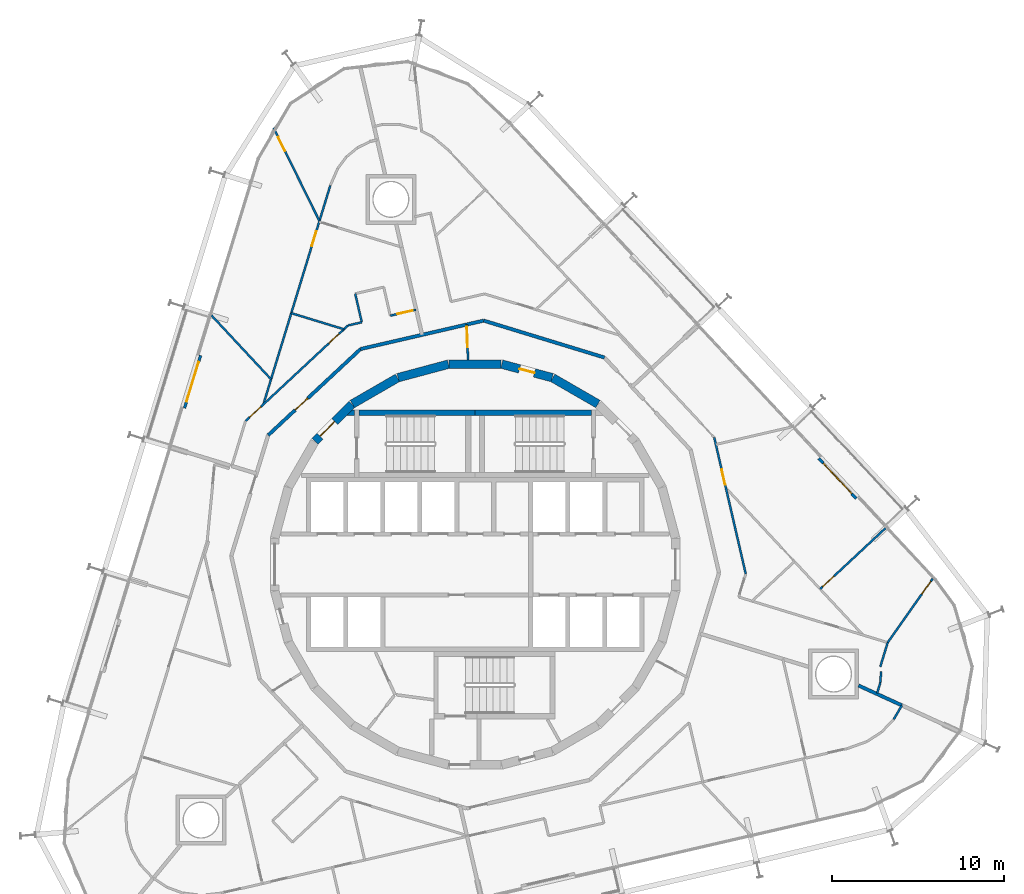
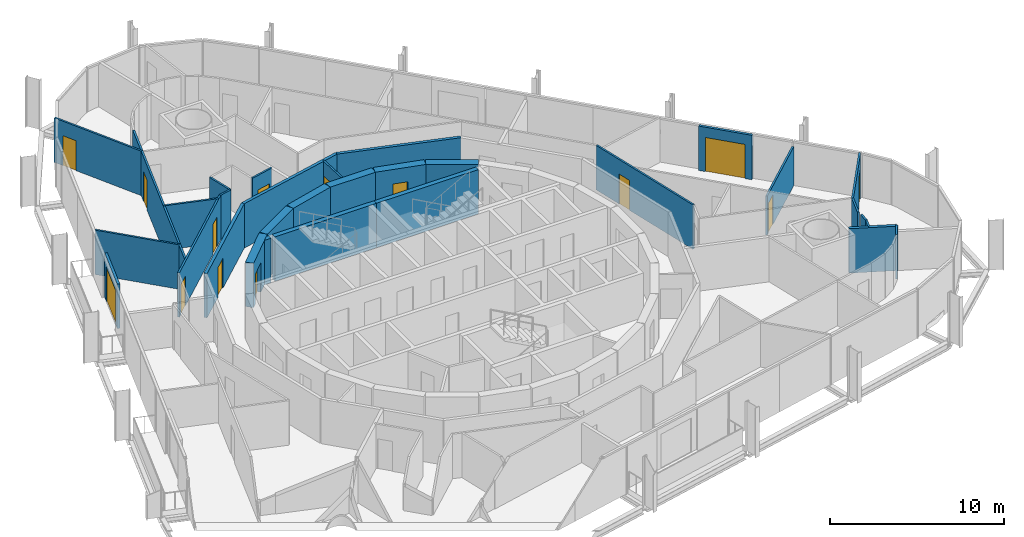
# One storey, part 15 of 18: 31 walls, 14 doors, 14 openings.
"""IFC4 building model written with IfcOpenShell, lengths in metres."""

from ifc_helpers import new_model, si_unit, direction, frame, frame_2d, origin, place, context, subcontext, project, spatial, polyline, rectangle, outline, extrude, material, layer, layer_set, type_object, element, fill, save


model = new_model("IFC4")

# Units and contexts
model_context = context("Model", 3, precision=1e-05, world=origin(), true_north=direction((0.0, 1.0)))
body_context = subcontext(model_context, "Body", "Model", "MODEL_VIEW")
ifc_project = project(units=[si_unit("LENGTHUNIT", "METRE"), si_unit("AREAUNIT", "SQUARE_METRE"), si_unit("VOLUMEUNIT", "CUBIC_METRE"), si_unit("PLANEANGLEUNIT", "RADIAN"), si_unit("MASSUNIT", "GRAM", prefix="KILO")], contexts=[model_context])

# Site, building, storey
site_placement = place(None, origin())
site = spatial("IfcSite", under=ifc_project, at=site_placement, CompositionType="ELEMENT")
building_placement = place(site_placement, origin())
building = spatial("IfcBuilding", under=site, at=building_placement, Name="Spindle Arch Residences", CompositionType="ELEMENT")
storey_placement = place(building_placement, frame((0.0, 0.0, 137.89990234375)))
storey = spatial("IfcBuildingStorey", under=building, at=storey_placement, Name="L34", CompositionType="ELEMENT", Elevation=137.89990234375)

# Wall
ifc_material_1 = material(Name="Concrete C50/60", Category="concrete")
ifc_layer_1 = layer(ifc_material_1, 0.5)
ifc_layer_set_1 = layer_set([ifc_layer_1], Name="Core outline wall 500")
wall_type_1 = type_object("IfcWallType", Name="Core outline wall 500", PredefinedType="SHEAR", material=ifc_layer_set_1)
wall_1_placement = place(storey_placement, frame((7.13671875, 9.32861328125, 0.0), z_axis=(0.0, 0.0, 1.0), x_axis=(-0.865975092491, 0.500087131594, 0.0)))
element("IfcWall", 1, at=wall_1_placement, inside=storey, type_object=wall_type_1, Name="Core outline wall 10", PredefinedType="SHEAR", context=body_context, shape_type="SweptSolid", body=[
    extrude(rectangle(XDim=3.03271484375, YDim=0.5, at=frame_2d((1.516357421875, 0.0))), origin(), (0.0, 0.0, 1.0), 3.1201171875),
])

# Wall, opening, door
wall_2_placement = place(storey_placement, frame((4.479248046875, 10.858154296875, 0.0), z_axis=(0.0, 0.0, 1.0), x_axis=(-0.965948410781, 0.258734743916, 0.0)))
wall_2 = element("IfcWall", 2, at=wall_2_placement, inside=storey, type_object=wall_type_1, Name="Core outline wall 11", PredefinedType="SHEAR", context=body_context, shape_type="SweptSolid", body=[
    extrude(rectangle(XDim=3.03271484375, YDim=0.5, at=frame_2d((1.516357421875, 0.0))), origin(), (0.0, 0.0, 1.0), 3.1201171875),
])
opening_1_placement = place(wall_2_placement, frame((1.066162109375, 0.0, 0.0)))
opening_1 = element("IfcOpeningElement", 3, at=opening_1_placement, cuts=wall_2, Name="Opening R3C1-WD10", PredefinedType="OPENING", context=body_context, shape_type="SweptSolid", body=[
    extrude(rectangle(XDim=0.89990234375, YDim=2.10009765625, at=frame_2d((0.449951171875, 1.050048828125))), frame((0.0, 0.260009765625, 0.0), z_axis=(0.0, -1.0, 0.0), x_axis=(1.0, 0.0, 0.0)), (0.0, 0.0, 1.0), 0.52001953125),
])
ifc_material_2 = material(Name="Steel, fire-resisting door", Category="steel")
door_type_1 = type_object("IfcDoorType", Name="Service room door 900x2100", OperationType="SINGLE_SWING_LEFT", PredefinedType="DOOR", material=ifc_material_2)
door_1_placement = place(opening_1_placement, origin())
door_1 = element("IfcDoor", 4, at=door_1_placement, inside=storey, type_object=door_type_1, Name="Service room door R3C1-WD10", OperationType="SINGLE_SWING_LEFT", OverallHeight=2.10009765625, OverallWidth=0.89990234375, PredefinedType="DOOR", context=body_context, shape_type="SweptSolid", body=[
    extrude(rectangle(XDim=0.89990234375, YDim=2.10009765625, at=frame_2d((0.449951171875, 1.050048828125))), frame((0.0, 0.02490234375, 0.0), z_axis=(0.0, -1.0, 0.0), x_axis=(1.0, 0.0, 0.0)), (0.0, 0.0, 1.0), 0.050048828125),
])
fill(opening_1, door_1)

# Walls
for number, where, z_axis, x_axis, name in (
    (5, (1.516357421875, 11.647216796875, 0.0), (0.0, 0.0, 1.0), (-1.0, 0.0, 0.0), "Core outline wall 12"),
    (6, (-1.5498046875, 11.642822265625, 0.0), (0.0, 0.0, 1.0), (-0.965948410781, -0.258734743916, 0.0), "Core outline wall 13"),
    (7, (-4.510498046875, 10.84521484375, 0.0), (0.0, 0.0, 1.0), (-0.865975092491, -0.500087131594, 0.0), "Core outline wall 14"),
):
    element("IfcWall", number, at=place(storey_placement, frame(where, z_axis=z_axis, x_axis=x_axis)), inside=storey, type_object=wall_type_1, Name=name, PredefinedType="SHEAR", context=body_context, shape_type="SweptSolid", body=[
        extrude(rectangle(XDim=3.03271484375, YDim=0.5, at=frame_2d((1.516357421875, 0.0))), origin(), (0.0, 0.0, 1.0), 3.1201171875),
    ])

# Wall, opening, door
wall_3_placement = place(storey_placement, frame((-7.163818359375, 9.30810546875, 0.0), z_axis=(0.0, 0.0, 1.0), x_axis=(-0.707106781187, -0.707106781187, 0.0)))
wall_3 = element("IfcWall", 8, at=wall_3_placement, inside=storey, type_object=wall_type_1, Name="Core outline wall 15", PredefinedType="SHEAR", context=body_context, shape_type="SweptSolid", body=[
    extrude(rectangle(XDim=3.032470703125, YDim=0.5, at=frame_2d((1.51611328125, 0.0))), origin(), (0.0, 0.0, 1.0), 3.1201171875),
])
opening_2_placement = place(wall_3_placement, frame((1.416259765625, 0.0, 0.0)))
opening_2 = element("IfcOpeningElement", 9, at=opening_2_placement, cuts=wall_3, Name="Opening R3C1-AD02", PredefinedType="OPENING", context=body_context, shape_type="SweptSolid", body=[
    extrude(rectangle(XDim=1.199951171875, YDim=2.10009765625, at=frame_2d((0.60009765625, 1.050048828125))), frame((0.0, 0.260009765625, 0.0), z_axis=(0.0, -1.0, 0.0), x_axis=(1.0, 0.0, 0.0)), (0.0, 0.0, 1.0), 0.52001953125),
])
ifc_material_3 = material(Name="Steel, fire-resisting door", Category="steel")
door_type_2 = type_object("IfcDoorType", Name="Stair airlock door 1200x2100", OperationType="SINGLE_SWING_LEFT", PredefinedType="DOOR", material=ifc_material_3)
door_2_placement = place(opening_2_placement, origin())
door_2 = element("IfcDoor", 10, at=door_2_placement, inside=storey, type_object=door_type_2, Name="Stair airlock door R3C1-AD02", OperationType="SINGLE_SWING_RIGHT", OverallHeight=2.10009765625, OverallWidth=1.199951171875, PredefinedType="DOOR", context=body_context, shape_type="SweptSolid", body=[
    extrude(rectangle(XDim=1.199951171875, YDim=2.10009765625, at=frame_2d((0.60009765625, 1.050048828125))), frame((0.0, 0.02490234375, 0.0), z_axis=(0.0, -1.0, 0.0), x_axis=(1.0, 0.0, 0.0)), (0.0, 0.0, 1.0), 0.050048828125),
])
fill(opening_2, door_2)

ifc_material_4 = material(Name="Plasterboard on steel studs", Category="steel")
ifc_layer_2 = layer(ifc_material_4, 0.1201171875)
ifc_layer_set_2 = layer_set([ifc_layer_2], Name="Corridor division wall 120")
wall_type_2 = type_object("IfcWallType", Name="Corridor division wall 120", PredefinedType="PARTITIONING", material=ifc_layer_set_2)
wall_4_placement = place(storey_placement, frame((-0.487060546875, 13.947998046875, 0.0), z_axis=(0.0, 0.0, 1.0), x_axis=(0.034859752231, -0.999392214135, 0.0)))
wall_4 = element("IfcWall", 11, at=wall_4_placement, inside=storey, type_object=wall_type_2, Name="Corridor division wall R3C1-W001", PredefinedType="PARTITIONING", context=body_context, shape_type="SweptSolid", body=[
    extrude(rectangle(XDim=2.052001953125, YDim=0.1201171875, at=frame_2d((1.02587890625, 0.0))), origin(), (0.0, 0.0, 1.0), 3.1201171875),
])
opening_3_placement = place(wall_4_placement, frame((0.125, 0.0, 0.0)))
opening_3 = element("IfcOpeningElement", 12, at=opening_3_placement, cuts=wall_4, Name="Opening R3C1-CD01", PredefinedType="OPENING", context=body_context, shape_type="SweptSolid", body=[
    extrude(rectangle(XDim=1.199951171875, YDim=2.10009765625, at=frame_2d((0.60009765625, 1.050048828125))), frame((0.0, 0.070068359375, 0.0), z_axis=(0.0, -1.0, 0.0), x_axis=(1.0, 0.0, 0.0)), (0.0, 0.0, 1.0), 0.14013671875),
])
ifc_material_5 = material(Name="Steel, fire-resisting door", Category="steel")
door_type_3 = type_object("IfcDoorType", Name="Corridor division door 1200x2100", OperationType="NOTDEFINED", PredefinedType="DOOR", material=ifc_material_5)
door_3_placement = place(opening_3_placement, origin())
door_3 = element("IfcDoor", 13, at=door_3_placement, inside=storey, type_object=door_type_3, Name="Corridor division door R3C1-CD01", OperationType="DOUBLE_DOOR_SINGLE_SWING", OverallHeight=2.10009765625, OverallWidth=1.199951171875, PredefinedType="DOOR", context=body_context, shape_type="SweptSolid", body=[
    extrude(rectangle(XDim=1.199951171875, YDim=2.10009765625, at=frame_2d((0.60009765625, 1.050048828125))), frame((0.0, 0.02490234375, 0.0), z_axis=(0.0, -1.0, 0.0), x_axis=(1.0, 0.0, 0.0)), (0.0, 0.0, 1.0), 0.050048828125),
])
fill(opening_3, door_3)

# Walls
ifc_material_6 = material(Name="Calcium silicate block, plastered")
ifc_layer_3 = layer(ifc_material_6, 0.199951171875)
ifc_layer_set_3 = layer_set([ifc_layer_3], Name="Corridor wall 200")
wall_type_3 = type_object("IfcWallType", Name="Corridor wall 200", PredefinedType="STANDARD", material=ifc_layer_set_3)
wall_5_placement = place(storey_placement, frame((7.51611328125, 12.028076171875, 0.0), z_axis=(0.0, 0.0, 1.0), x_axis=(-0.956306642771, 0.292365533182, 0.0)))
element("IfcWall", 14, at=wall_5_placement, inside=storey, type_object=wall_type_3, Name="Corridor wall R3C1-W007", PredefinedType="STANDARD", context=body_context, shape_type="SweptSolid", body=[
    extrude(rectangle(XDim=7.341796875, YDim=0.199951171875, at=frame_2d((3.6708984375, 0.0))), origin(), (0.0, 0.0, 1.0), 3.1201171875),
])
wall_6_placement = place(storey_placement, frame((0.4951171875, 14.174560546875, 0.0), z_axis=(0.0, 0.0, 1.0), x_axis=(-0.974376622151, -0.224922649383, 0.0)))
element("IfcWall", 15, at=wall_6_placement, inside=storey, type_object=wall_type_3, Name="Corridor wall R3C1-W008", PredefinedType="STANDARD", context=body_context, shape_type="SweptSolid", body=[
    extrude(rectangle(XDim=7.342041015625, YDim=0.199951171875, at=frame_2d((3.6708984375, 0.0))), origin(), (0.0, 0.0, 1.0), 3.1201171875),
])

# Wall, opening, door
wall_7_placement = place(storey_placement, frame((-6.65869140625, 12.523193359375, 0.0), z_axis=(0.0, 0.0, 1.0), x_axis=(-0.731350455479, -0.682001841105, 0.0)))
wall_7 = element("IfcWall", 16, at=wall_7_placement, inside=storey, type_object=wall_type_3, Name="Corridor wall R3C1-W009", PredefinedType="STANDARD", context=body_context, shape_type="SweptSolid", body=[
    extrude(rectangle(XDim=7.341796875, YDim=0.199951171875, at=frame_2d((3.6708984375, 0.0))), origin(), (0.0, 0.0, 1.0), 3.1201171875),
])
opening_4_placement = place(wall_7_placement, frame((4.199951171875, 0.0, 0.0)))
opening_4 = element("IfcOpeningElement", 17, at=opening_4_placement, cuts=wall_7, Name="Opening R3C1-FD03", PredefinedType="OPENING", context=body_context, shape_type="SweptSolid", body=[
    extrude(rectangle(XDim=1.0, YDim=2.10009765625, at=frame_2d((0.5, 1.050048828125))), frame((0.0, 0.10986328125, 0.0), z_axis=(0.0, -1.0, 0.0), x_axis=(1.0, 0.0, 0.0)), (0.0, 0.0, 1.0), 0.219970703125),
])
ifc_material_7 = material(Name="Timber, fire-resisting door set", Category="wood")
door_type_4 = type_object("IfcDoorType", Name="Flat entrance door 1000x2100", OperationType="NOTDEFINED", PredefinedType="DOOR", material=ifc_material_7)
door_4_placement = place(opening_4_placement, origin())
door_4 = element("IfcDoor", 18, at=door_4_placement, inside=storey, type_object=door_type_4, Name="Flat entrance door R3C1-FD03", OperationType="SINGLE_SWING_LEFT", OverallHeight=2.10009765625, OverallWidth=1.0, PredefinedType="DOOR", context=body_context, shape_type="SweptSolid", body=[
    extrude(rectangle(XDim=1.0, YDim=2.10009765625, at=frame_2d((0.5, 1.050048828125))), frame((0.0, 0.02490234375, 0.0), z_axis=(0.0, -1.0, 0.0), x_axis=(1.0, 0.0, 0.0)), (0.0, 0.0, 1.0), 0.050048828125),
])
fill(opening_4, door_4)

ifc_material_8 = material(Name="Plasterboard on steel studs", Category="steel")
ifc_layer_4 = layer(ifc_material_8, 0.1201171875)
ifc_layer_set_4 = layer_set([ifc_layer_4], Name="Flat partition 120")
wall_type_4 = type_object("IfcWallType", Name="Flat partition 120", PredefinedType="PARTITIONING", material=ifc_layer_set_4)
wall_8_placement = place(storey_placement, frame((15.7265625, -0.54931640625, 0.0), z_axis=(0.0, 0.0, 1.0), x_axis=(-0.22493611855, 0.974373512864, 0.0)))
wall_8 = element("IfcWall", 19, at=wall_8_placement, inside=storey, type_object=wall_type_4, Name="Flat partition R3C1-W033", PredefinedType="PARTITIONING", context=body_context, shape_type="SweptSolid", body=[
    extrude(rectangle(XDim=8.145751953125, YDim=0.1201171875, at=frame_2d((4.07275390625, 0.0))), origin(), (0.0, 0.0, 1.0), 3.1201171875),
])
opening_5_placement = place(wall_8_placement, frame((5.327392578125, 0.0, 0.0)))
opening_5 = element("IfcOpeningElement", 20, at=opening_5_placement, cuts=wall_8, Name="Opening R3C1-ID02", PredefinedType="OPENING", context=body_context, shape_type="SweptSolid", body=[
    extrude(rectangle(XDim=0.89990234375, YDim=2.10009765625, at=frame_2d((0.449951171875, 1.050048828125))), frame((0.0, 0.070068359375, 0.0), z_axis=(0.0, -1.0, 0.0), x_axis=(1.0, 0.0, 0.0)), (0.0, 0.0, 1.0), 0.14013671875),
])
ifc_material_9 = material(Name="Timber door set", Category="wood")
door_type_5 = type_object("IfcDoorType", Name="Room door 900x2100", OperationType="NOTDEFINED", PredefinedType="DOOR", material=ifc_material_9)
door_5_placement = place(opening_5_placement, origin())
door_5 = element("IfcDoor", 21, at=door_5_placement, inside=storey, type_object=door_type_5, Name="Room door R3C1-ID02", OperationType="SINGLE_SWING_LEFT", OverallHeight=2.10009765625, OverallWidth=0.89990234375, PredefinedType="DOOR", context=body_context, shape_type="SweptSolid", body=[
    extrude(rectangle(XDim=0.89990234375, YDim=2.10009765625, at=frame_2d((0.449951171875, 1.050048828125))), frame((0.0, 0.02490234375, 0.0), z_axis=(0.0, -1.0, 0.0), x_axis=(1.0, 0.0, 0.0)), (0.0, 0.0, 1.0), 0.050048828125),
])
fill(opening_5, door_5)

# Walls
for number, where, z_axis, x_axis, name in (
    (22, (23.362060546875, -7.47802734375, 0.0), (0.0, 0.0, 1.0), (0.292508434016, 0.956262942934, 0.0), "Flat partition R3C1-W035"),
    (23, (23.5498046875, -6.8642578125, 0.0), (0.0, 0.0, 1.0), (0.063893570381, 0.997956718332, 0.0), "Flat partition R3C1-W036"),
):
    element("IfcWall", number, at=place(storey_placement, frame(where, z_axis=z_axis, x_axis=x_axis)), inside=storey, type_object=wall_type_4, Name=name, PredefinedType="PARTITIONING", context=body_context, shape_type="SweptSolid", body=[
        extrude(rectangle(XDim=0.641845703125, YDim=0.1201171875, at=frame_2d((0.32080078125, 0.0))), origin(), (0.0, 0.0, 1.0), 3.1201171875),
    ])
wall_9_placement = place(storey_placement, frame((23.543701171875, -5.947509765625, 0.0), z_axis=(0.0, 0.0, 1.0), x_axis=(0.292386782861, 0.956300145983, 0.0)))
element("IfcWall", 24, at=wall_9_placement, inside=storey, type_object=wall_type_4, Name="Flat partition R3C1-W037", PredefinedType="PARTITIONING", context=body_context, shape_type="SweptSolid", body=[
    extrude(rectangle(XDim=1.474609375, YDim=0.1201171875, at=frame_2d((0.7373046875, 0.0))), origin(), (0.0, 0.0, 1.0), 3.1201171875),
])

# Wall, opening, door
wall_10_placement = place(storey_placement, frame((26.593017578125, -0.818115234375, 0.0), z_axis=(0.0, 0.0, 1.0), x_axis=(-0.575629018128, -0.817710971853, 0.0)))
wall_10 = element("IfcWall", 25, at=wall_10_placement, inside=storey, type_object=wall_type_4, Name="Flat partition R3C1-W042", PredefinedType="PARTITIONING", context=body_context, shape_type="SweptSolid", body=[
    extrude(rectangle(XDim=4.54833984375, YDim=0.1201171875, at=frame_2d((2.274169921875, 0.0))), origin(), (0.0, 0.0, 1.0), 3.1201171875),
])
opening_6_placement = place(wall_10_placement, frame((0.199951171875, 0.0, 0.0)))
opening_6 = element("IfcOpeningElement", 26, at=opening_6_placement, cuts=wall_10, Name="Opening R3C1-ID05", PredefinedType="OPENING", context=body_context, shape_type="SweptSolid", body=[
    extrude(rectangle(XDim=0.89990234375, YDim=2.10009765625, at=frame_2d((0.449951171875, 1.050048828125))), frame((0.0, 0.070068359375, 0.0), z_axis=(0.0, -1.0, 0.0), x_axis=(1.0, 0.0, 0.0)), (0.0, 0.0, 1.0), 0.14013671875),
])
door_6_placement = place(opening_6_placement, origin())
door_6 = element("IfcDoor", 27, at=door_6_placement, inside=storey, type_object=door_type_5, Name="Room door R3C1-ID05", OperationType="SINGLE_SWING_LEFT", OverallHeight=2.10009765625, OverallWidth=0.89990234375, PredefinedType="DOOR", context=body_context, shape_type="SweptSolid", body=[
    extrude(rectangle(XDim=0.89990234375, YDim=2.10009765625, at=frame_2d((0.449951171875, 1.050048828125))), frame((0.0, 0.02490234375, 0.0), z_axis=(0.0, -1.0, 0.0), x_axis=(1.0, 0.0, 0.0)), (0.0, 0.0, 1.0), 0.050048828125),
])
fill(opening_6, door_6)

wall_11_placement = place(storey_placement, frame((-3.439697265625, 14.8056640625, 0.0), z_axis=(0.0, 0.0, 1.0), x_axis=(-0.974356244071, -0.225010910046, 0.0)))
wall_11 = element("IfcWall", 28, at=wall_11_placement, inside=storey, type_object=wall_type_4, Name="Flat partition R3C1-W057", PredefinedType="PARTITIONING", context=body_context, shape_type="SweptSolid", body=[
    extrude(rectangle(XDim=1.531005859375, YDim=0.1201171875, at=frame_2d((0.765625, 0.0))), origin(), (0.0, 0.0, 1.0), 3.1201171875),
])
opening_7_placement = place(wall_11_placement, frame((0.199951171875, 0.0, 0.0)))
opening_7 = element("IfcOpeningElement", 29, at=opening_7_placement, cuts=wall_11, Name="Opening R3C1-ID13", PredefinedType="OPENING", context=body_context, shape_type="SweptSolid", body=[
    extrude(rectangle(XDim=0.89990234375, YDim=2.10009765625, at=frame_2d((0.449951171875, 1.050048828125))), frame((0.0, 0.070068359375, 0.0), z_axis=(0.0, -1.0, 0.0), x_axis=(1.0, 0.0, 0.0)), (0.0, 0.0, 1.0), 0.14013671875),
])
door_7_placement = place(opening_7_placement, origin())
door_7 = element("IfcDoor", 30, at=door_7_placement, inside=storey, type_object=door_type_5, Name="Room door R3C1-ID13", OperationType="SINGLE_SWING_LEFT", OverallHeight=2.10009765625, OverallWidth=0.89990234375, PredefinedType="DOOR", context=body_context, shape_type="SweptSolid", body=[
    extrude(rectangle(XDim=0.89990234375, YDim=2.10009765625, at=frame_2d((0.449951171875, 1.050048828125))), frame((0.0, 0.02490234375, 0.0), z_axis=(0.0, -1.0, 0.0), x_axis=(1.0, 0.0, 0.0)), (0.0, 0.0, 1.0), 0.050048828125),
])
fill(opening_7, door_7)

# Walls
wall_12_placement = place(storey_placement, frame((-6.971435546875, 15.740234375, 0.0), z_axis=(0.0, 0.0, 1.0), x_axis=(0.224943164347, -0.974371886301, 0.0)))
element("IfcWall", 31, at=wall_12_placement, inside=storey, type_object=wall_type_4, Name="Flat partition R3C1-W060", PredefinedType="PARTITIONING", context=body_context, shape_type="SweptSolid", body=[
    extrude(rectangle(XDim=1.705078125, YDim=0.1201171875, at=frame_2d((0.8525390625, 0.0))), origin(), (0.0, 0.0, 1.0), 3.1201171875),
])
wall_13_placement = place(storey_placement, frame((-6.587890625, 14.078857421875, 0.0), z_axis=(0.0, 0.0, 1.0), x_axis=(-0.974391195695, -0.224859506699, 0.0)))
element("IfcWall", 32, at=wall_13_placement, inside=storey, type_object=wall_type_4, Name="Flat partition R3C1-W061", PredefinedType="PARTITIONING", context=body_context, shape_type="SweptSolid", body=[
    extrude(rectangle(XDim=0.82080078125, YDim=0.1201171875, at=frame_2d((0.410400390625, 0.0))), origin(), (0.0, 0.0, 1.0), 3.1201171875),
])

# Wall, openings, doors
wall_14_placement = place(storey_placement, frame((-7.3876953125, 13.894287109375, 0.0), z_axis=(0.0, 0.0, 1.0), x_axis=(-0.731357186721, -0.681994622729, 0.0)))
wall_14 = element("IfcWall", 33, at=wall_14_placement, inside=storey, type_object=wall_type_4, Name="Flat partition R3C1-W062", PredefinedType="PARTITIONING", context=body_context, shape_type="SweptSolid", body=[
    extrude(rectangle(XDim=8.145751953125, YDim=0.1201171875, at=frame_2d((4.07275390625, 0.0))), origin(), (0.0, 0.0, 1.0), 3.1201171875),
])
opening_8_placement = place(wall_14_placement, frame((0.725341796875, 0.0, 0.0)))
opening_8 = element("IfcOpeningElement", 34, at=opening_8_placement, cuts=wall_14, Name="Opening R3C1-BD03", PredefinedType="OPENING", context=body_context, shape_type="SweptSolid", body=[
    extrude(rectangle(XDim=0.800048828125, YDim=2.10009765625, at=frame_2d((0.39990234375, 1.050048828125))), frame((0.0, 0.070068359375, 0.0), z_axis=(0.0, -1.0, 0.0), x_axis=(1.0, 0.0, 0.0)), (0.0, 0.0, 1.0), 0.14013671875),
])
opening_9_placement = place(wall_14_placement, frame((6.927490234375, 0.0, 0.0)))
opening_9 = element("IfcOpeningElement", 35, at=opening_9_placement, cuts=wall_14, Name="Opening R3C1-ID14", PredefinedType="OPENING", context=body_context, shape_type="SweptSolid", body=[
    extrude(rectangle(XDim=0.89990234375, YDim=2.10009765625, at=frame_2d((0.449951171875, 1.050048828125))), frame((0.0, 0.070068359375, 0.0), z_axis=(0.0, -1.0, 0.0), x_axis=(1.0, 0.0, 0.0)), (0.0, 0.0, 1.0), 0.14013671875),
])
ifc_material_10 = material(Name="Timber door set", Category="wood")
door_type_6 = type_object("IfcDoorType", Name="Bathroom door 800x2100", OperationType="NOTDEFINED", PredefinedType="DOOR", material=ifc_material_10)
door_8_placement = place(opening_8_placement, origin())
door_8 = element("IfcDoor", 36, at=door_8_placement, inside=storey, type_object=door_type_6, Name="Bathroom door R3C1-BD03", OperationType="SINGLE_SWING_LEFT", OverallHeight=2.10009765625, OverallWidth=0.800048828125, PredefinedType="DOOR", context=body_context, shape_type="SweptSolid", body=[
    extrude(rectangle(XDim=0.800048828125, YDim=2.10009765625, at=frame_2d((0.39990234375, 1.050048828125))), frame((0.0, 0.02490234375, 0.0), z_axis=(0.0, -1.0, 0.0), x_axis=(1.0, 0.0, 0.0)), (0.0, 0.0, 1.0), 0.050048828125),
])
fill(opening_8, door_8)
door_9_placement = place(opening_9_placement, origin())
door_9 = element("IfcDoor", 37, at=door_9_placement, inside=storey, type_object=door_type_5, Name="Room door R3C1-ID14", OperationType="SINGLE_SWING_LEFT", OverallHeight=2.10009765625, OverallWidth=0.89990234375, PredefinedType="DOOR", context=body_context, shape_type="SweptSolid", body=[
    extrude(rectangle(XDim=0.89990234375, YDim=2.10009765625, at=frame_2d((0.449951171875, 1.050048828125))), frame((0.0, 0.02490234375, 0.0), z_axis=(0.0, -1.0, 0.0), x_axis=(1.0, 0.0, 0.0)), (0.0, 0.0, 1.0), 0.050048828125),
])
fill(opening_9, door_9)

# Wall, opening, door
wall_15_placement = place(storey_placement, frame((-8.41748046875, 22.031005859375, 0.0), z_axis=(0.0, 0.0, 1.0), x_axis=(-0.292371891841, -0.956304698755, 0.0)))
wall_15 = element("IfcWall", 38, at=wall_15_placement, inside=storey, type_object=wall_type_4, Name="Flat partition R3C1-W069", PredefinedType="PARTITIONING", context=body_context, shape_type="SweptSolid", body=[
    extrude(rectangle(XDim=13.306396484375, YDim=0.1201171875, at=frame_2d((6.6533203125, 0.0))), origin(), (0.0, 0.0, 1.0), 3.1201171875),
])
opening_10_placement = place(wall_15_placement, frame((2.77734375, 0.0, 0.0)))
opening_10 = element("IfcOpeningElement", 39, at=opening_10_placement, cuts=wall_15, Name="Opening R3C1-ID16", PredefinedType="OPENING", context=body_context, shape_type="SweptSolid", body=[
    extrude(rectangle(XDim=0.89990234375, YDim=2.10009765625, at=frame_2d((0.449951171875, 1.050048828125))), frame((0.0, 0.070068359375, 0.0), z_axis=(0.0, -1.0, 0.0), x_axis=(1.0, 0.0, 0.0)), (0.0, 0.0, 1.0), 0.14013671875),
])
door_10_placement = place(opening_10_placement, origin())
door_10 = element("IfcDoor", 40, at=door_10_placement, inside=storey, type_object=door_type_5, Name="Room door R3C1-ID16", OperationType="SINGLE_SWING_LEFT", OverallHeight=2.10009765625, OverallWidth=0.89990234375, PredefinedType="DOOR", context=body_context, shape_type="SweptSolid", body=[
    extrude(rectangle(XDim=0.89990234375, YDim=2.10009765625, at=frame_2d((0.449951171875, 1.050048828125))), frame((0.0, 0.02490234375, 0.0), z_axis=(0.0, -1.0, 0.0), x_axis=(1.0, 0.0, 0.0)), (0.0, 0.0, 1.0), 0.050048828125),
])
fill(opening_10, door_10)

wall_16_placement = place(storey_placement, frame((-11.71630859375, 25.381103515625, 0.0), z_axis=(0.0, 0.0, 1.0), x_axis=(0.441576881221, -0.897223415862, 0.0)))
wall_16 = element("IfcWall", 41, at=wall_16_placement, inside=storey, type_object=wall_type_4, Name="Flat partition R3C1-W071", PredefinedType="PARTITIONING", context=body_context, shape_type="SweptSolid", body=[
    extrude(rectangle(XDim=6.03857421875, YDim=0.1201171875, at=frame_2d((3.019287109375, 0.0))), origin(), (0.0, 0.0, 1.0), 3.1201171875),
])
opening_11_placement = place(wall_16_placement, frame((0.60009765625, 0.0, 0.0)))
opening_11 = element("IfcOpeningElement", 42, at=opening_11_placement, cuts=wall_16, Name="Opening R3C1-ID17", PredefinedType="OPENING", context=body_context, shape_type="SweptSolid", body=[
    extrude(rectangle(XDim=0.89990234375, YDim=2.10009765625, at=frame_2d((0.449951171875, 1.050048828125))), frame((0.0, 0.070068359375, 0.0), z_axis=(0.0, -1.0, 0.0), x_axis=(1.0, 0.0, 0.0)), (0.0, 0.0, 1.0), 0.14013671875),
])
door_11_placement = place(opening_11_placement, origin())
door_11 = element("IfcDoor", 43, at=door_11_placement, inside=storey, type_object=door_type_5, Name="Room door R3C1-ID17", OperationType="SINGLE_SWING_LEFT", OverallHeight=2.10009765625, OverallWidth=0.89990234375, PredefinedType="DOOR", context=body_context, shape_type="SweptSolid", body=[
    extrude(rectangle(XDim=0.89990234375, YDim=2.10009765625, at=frame_2d((0.449951171875, 1.050048828125))), frame((0.0, 0.02490234375, 0.0), z_axis=(0.0, -1.0, 0.0), x_axis=(1.0, 0.0, 0.0)), (0.0, 0.0, 1.0), 0.050048828125),
])
fill(opening_11, door_11)

# Walls
wall_17_placement = place(storey_placement, frame((-10.686767578125, 14.6083984375, 0.0), z_axis=(0.0, 0.0, 1.0), x_axis=(0.956295309419, -0.292402601189, 0.0)))
element("IfcWall", 44, at=wall_17_placement, inside=storey, type_object=wall_type_4, Name="Flat partition R3C1-W072", PredefinedType="PARTITIONING", context=body_context, shape_type="SweptSolid", body=[
    extrude(rectangle(XDim=3.201171875, YDim=0.1201171875, at=frame_2d((1.6005859375, 0.0))), origin(), (0.0, 0.0, 1.0), 3.1201171875),
])
wall_18_placement = place(storey_placement, frame((-15.32666015625, 14.481201171875, 0.0), z_axis=(0.0, 0.0, 1.0), x_axis=(0.68197575128, -0.731374783997, 0.0)))
element("IfcWall", 45, at=wall_18_placement, inside=storey, type_object=wall_type_4, Name="Flat partition R3C1-W073", PredefinedType="PARTITIONING", context=body_context, shape_type="SweptSolid", body=[
    extrude(rectangle(XDim=5.08056640625, YDim=0.1201171875, at=frame_2d((2.540283203125, 0.0))), origin(), (0.0, 0.0, 1.0), 3.1201171875),
])
wall_19_placement = place(storey_placement, frame((24.8017578125, -8.18603515625, 0.0), z_axis=(0.0, 0.0, 1.0), x_axis=(-0.505043103481, -0.863094122113, 0.0)))
element("IfcWall", 46, at=wall_19_placement, inside=storey, type_object=wall_type_4, Name="Flat partition R3C1-W111", PredefinedType="PARTITIONING", context=body_context, shape_type="SweptSolid", body=[
    extrude(rectangle(XDim=0.945068359375, YDim=0.1201171875, at=frame_2d((0.47265625, 0.0))), origin(), (0.0, 0.0, 1.0), 3.1201171875),
])

# Wall, opening, door
ifc_material_11 = material(Name="Plasterboard on steel studs", Category="steel")
ifc_layer_5 = layer(ifc_material_11, 0.1201171875)
ifc_layer_set_5 = layer_set([ifc_layer_5], Name="Flat partition 120 under beam 2730")
wall_type_5 = type_object("IfcWallType", Name="Flat partition 120 under beam 2730", PredefinedType="PARTITIONING", material=ifc_layer_set_5)
wall_20_placement = place(storey_placement, frame((20.052001953125, -1.428466796875, 0.0), z_axis=(0.0, 0.0, 1.0), x_axis=(0.73134872518, 0.682003696601, 0.0)))
wall_20 = element("IfcWall", 47, at=wall_20_placement, inside=storey, type_object=wall_type_5, Name="Flat partition R3C1-W041", PredefinedType="PARTITIONING", context=body_context, shape_type="SweptSolid", body=[
    extrude(rectangle(XDim=5.199951171875, YDim=0.1201171875, at=frame_2d((2.60009765625, 0.0))), origin(), (0.0, 0.0, 1.0), 2.72998046875),
])
opening_12_placement = place(wall_20_placement, frame((0.199951171875, 0.0, 0.0)))
opening_12 = element("IfcOpeningElement", 48, at=opening_12_placement, cuts=wall_20, Name="Opening R3C1-ID04", PredefinedType="OPENING", context=body_context, shape_type="SweptSolid", body=[
    extrude(rectangle(XDim=0.89990234375, YDim=2.10009765625, at=frame_2d((0.449951171875, 1.050048828125))), frame((0.0, 0.070068359375, 0.0), z_axis=(0.0, -1.0, 0.0), x_axis=(1.0, 0.0, 0.0)), (0.0, 0.0, 1.0), 0.14013671875),
])
door_12_placement = place(opening_12_placement, origin())
door_12 = element("IfcDoor", 49, at=door_12_placement, inside=storey, type_object=door_type_5, Name="Room door R3C1-ID04", OperationType="SINGLE_SWING_LEFT", OverallHeight=2.10009765625, OverallWidth=0.89990234375, PredefinedType="DOOR", context=body_context, shape_type="SweptSolid", body=[
    extrude(rectangle(XDim=0.89990234375, YDim=2.10009765625, at=frame_2d((0.449951171875, 1.050048828125))), frame((0.0, 0.02490234375, 0.0), z_axis=(0.0, -1.0, 0.0), x_axis=(1.0, 0.0, 0.0)), (0.0, 0.0, 1.0), 0.050048828125),
])
fill(opening_12, door_12)

# Wall
ifc_material_12 = material(Name="Calcium silicate block, plastered")
ifc_layer_6 = layer(ifc_material_12, 0.199951171875)
ifc_layer_set_6 = layer_set([ifc_layer_6], Name="Flat party wall 200")
wall_type_6 = type_object("IfcWallType", Name="Flat party wall 200", PredefinedType="STANDARD", material=ifc_layer_set_6)
wall_21_placement = place(storey_placement, frame((22.280029296875, -7.031982421875, 0.0), z_axis=(0.0, 0.0, 1.0), x_axis=(0.909302252994, -0.416136291016, 0.0)))
element("IfcWall", 50, at=wall_21_placement, inside=storey, type_object=wall_type_6, Name="Flat party wall R3C1-W018", PredefinedType="STANDARD", context=body_context, shape_type="SweptSolid", body=[
    extrude(rectangle(XDim=2.773193359375, YDim=0.199951171875, at=frame_2d((1.38671875, 0.0))), origin(), (0.0, 0.0, 1.0), 3.1201171875),
])

# Wall, opening, door
ifc_material_13 = material(Name="Non-combustible mineral wool insulated aluminium faced external wall (K0)", Category="aluminium")
ifc_layer_7 = layer(ifc_material_13, 0.159912109375)
ifc_layer_set_7 = layer_set([ifc_layer_7], Name="Insulated external wall panel 160")
wall_type_7 = type_object("IfcWallType", Name="Insulated external wall panel 160", PredefinedType="STANDARD", material=ifc_layer_set_7)
wall_22_placement = place(storey_placement, frame((22.14990234375, 3.829345703125, 0.0), z_axis=(0.0, 0.0, 1.0), x_axis=(-0.682035508355, 0.731319058512, 0.0)))
wall_22 = element("IfcWall", 51, at=wall_22_placement, inside=storey, type_object=wall_type_7, Name="External wall L34 bay 6", PredefinedType="STANDARD", context=body_context, shape_type="SweptSolid", body=[
    extrude(rectangle(XDim=3.2001953125, YDim=0.159912109375, at=frame_2d((1.60009765625, 0.0))), origin(), (0.0, 0.0, 1.0), 3.1201171875),
])
opening_13_placement = place(wall_22_placement, frame((0.39990234375, 0.0, 0.0)))
opening_13 = element("IfcOpeningElement", 52, at=opening_13_placement, cuts=wall_22, Name="Opening BD06", PredefinedType="OPENING", context=body_context, shape_type="SweptSolid", body=[
    extrude(rectangle(XDim=2.39990234375, YDim=2.39990234375, at=frame_2d((1.199951171875, 1.199951171875))), frame((0.0, 0.08984375, 0.0), z_axis=(0.0, -1.0, 0.0), x_axis=(1.0, 0.0, 0.0)), (0.0, 0.0, 1.0), 0.179931640625),
])
ifc_material_14 = material(Name="Bronze aluminium frame, tinted double glazing", Category="aluminium")
door_type_7 = type_object("IfcDoorType", Name="Sliding glazed balcony door 2400x2400", OperationType="DOUBLE_DOOR_SLIDING", PredefinedType="DOOR", material=ifc_material_14)
door_13_placement = place(opening_13_placement, origin())
door_13 = element("IfcDoor", 53, at=door_13_placement, inside=storey, type_object=door_type_7, Name="Balcony door BD06", OperationType="DOUBLE_DOOR_SLIDING", OverallHeight=2.39990234375, OverallWidth=2.39990234375, PredefinedType="DOOR", context=body_context, shape_type="SweptSolid", body=[
    extrude(rectangle(XDim=2.39990234375, YDim=2.39990234375, at=frame_2d((1.199951171875, 1.199951171875))), frame((0.0, 0.02490234375, 0.0), z_axis=(0.0, -1.0, 0.0), x_axis=(1.0, 0.0, 0.0)), (0.0, 0.0, 1.0), 0.050048828125),
])
fill(opening_13, door_13)

wall_23_placement = place(storey_placement, frame((-15.9560546875, 12.148681640625, 0.0), z_axis=(0.0, 0.0, 1.0), x_axis=(-0.29243949851, -0.956284026695, 0.0)))
wall_23 = element("IfcWall", 54, at=wall_23_placement, inside=storey, type_object=wall_type_7, Name="External wall L34 bay 14", PredefinedType="STANDARD", context=body_context, shape_type="SweptSolid", body=[
    extrude(rectangle(XDim=3.199951171875, YDim=0.159912109375, at=frame_2d((1.60009765625, 0.0))), origin(), (0.0, 0.0, 1.0), 3.1201171875),
])
opening_14_placement = place(wall_23_placement, frame((0.39990234375, 0.0, 0.0)))
opening_14 = element("IfcOpeningElement", 55, at=opening_14_placement, cuts=wall_23, Name="Opening BD14", PredefinedType="OPENING", context=body_context, shape_type="SweptSolid", body=[
    extrude(rectangle(XDim=2.39990234375, YDim=2.39990234375, at=frame_2d((1.199951171875, 1.199951171875))), frame((0.0, 0.08984375, 0.0), z_axis=(0.0, -1.0, 0.0), x_axis=(1.0, 0.0, 0.0)), (0.0, 0.0, 1.0), 0.179931640625),
])
door_14_placement = place(opening_14_placement, origin())
door_14 = element("IfcDoor", 56, at=door_14_placement, inside=storey, type_object=door_type_7, Name="Balcony door BD14", OperationType="DOUBLE_DOOR_SLIDING", OverallHeight=2.39990234375, OverallWidth=2.39990234375, PredefinedType="DOOR", context=body_context, shape_type="SweptSolid", body=[
    extrude(rectangle(XDim=2.39990234375, YDim=2.39990234375, at=frame_2d((1.199951171875, 1.199951171875))), frame((0.0, 0.02490234375, 0.0), z_axis=(0.0, -1.0, 0.0), x_axis=(1.0, 0.0, 0.0)), (0.0, 0.0, 1.0), 0.050048828125),
])
fill(opening_14, door_14)

# Walls
ifc_material_15 = material(Name="Concrete C40/50", Category="concrete")
wall_type_8 = type_object("IfcWallType", Name="Stair airlock wall profile", PredefinedType="SHEAR", material=ifc_material_15)
wall_24_placement = place(storey_placement, origin())
element("IfcWall", 57, at=wall_24_placement, inside=storey, type_object=wall_type_8, Name="Stair ST-2 airlock wall N", PredefinedType="SHEAR", context=body_context, shape_type="SweptSolid", body=[
    extrude(outline(polyline([(-7.148193359375, 8.969970703125), (-7.0, 8.969970703125), (-7.0, 8.669921875), (-7.4482421875, 8.669921875), (-7.148193359375, 8.969970703125)])), origin(), (0.0, 0.0, 1.0), 3.1201171875),
])
ifc_material_16 = material(Name="Concrete C50/60", Category="concrete")
ifc_layer_8 = layer(ifc_material_16, 0.300048828125)
ifc_layer_set_8 = layer_set([ifc_layer_8], Name="Stair enclosure wall 300")
wall_type_9 = type_object("IfcWallType", Name="Stair enclosure wall 300", PredefinedType="SHEAR", material=ifc_layer_set_8)
for number, where, z_axis, x_axis, name in (
    (58, (0.0, 8.820068359375, 0.0), (0.0, 0.0, 1.0), (1.0, 0.0, 0.0), "Stair ST-1 enclosure wall N"),
    (59, (-6.75, 8.820068359375, 0.0), (0.0, 0.0, 1.0), (1.0, 0.0, 0.0), "Stair ST-2 enclosure wall N"),
):
    element("IfcWall", number, at=place(storey_placement, frame(where, z_axis=z_axis, x_axis=x_axis)), inside=storey, type_object=wall_type_9, Name=name, PredefinedType="SHEAR", context=body_context, shape_type="SweptSolid", body=[
        extrude(rectangle(XDim=6.75, YDim=0.300048828125, at=frame_2d((3.375, 0.0))), origin(), (0.0, 0.0, 1.0), 3.1201171875),
    ])

save(model, "model.ifc")
